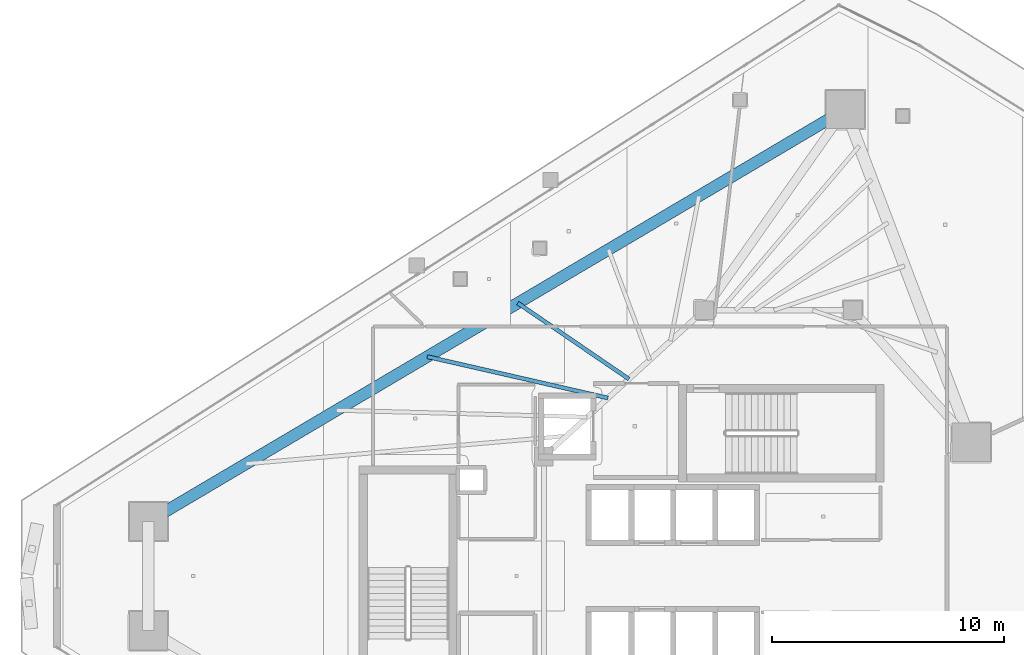
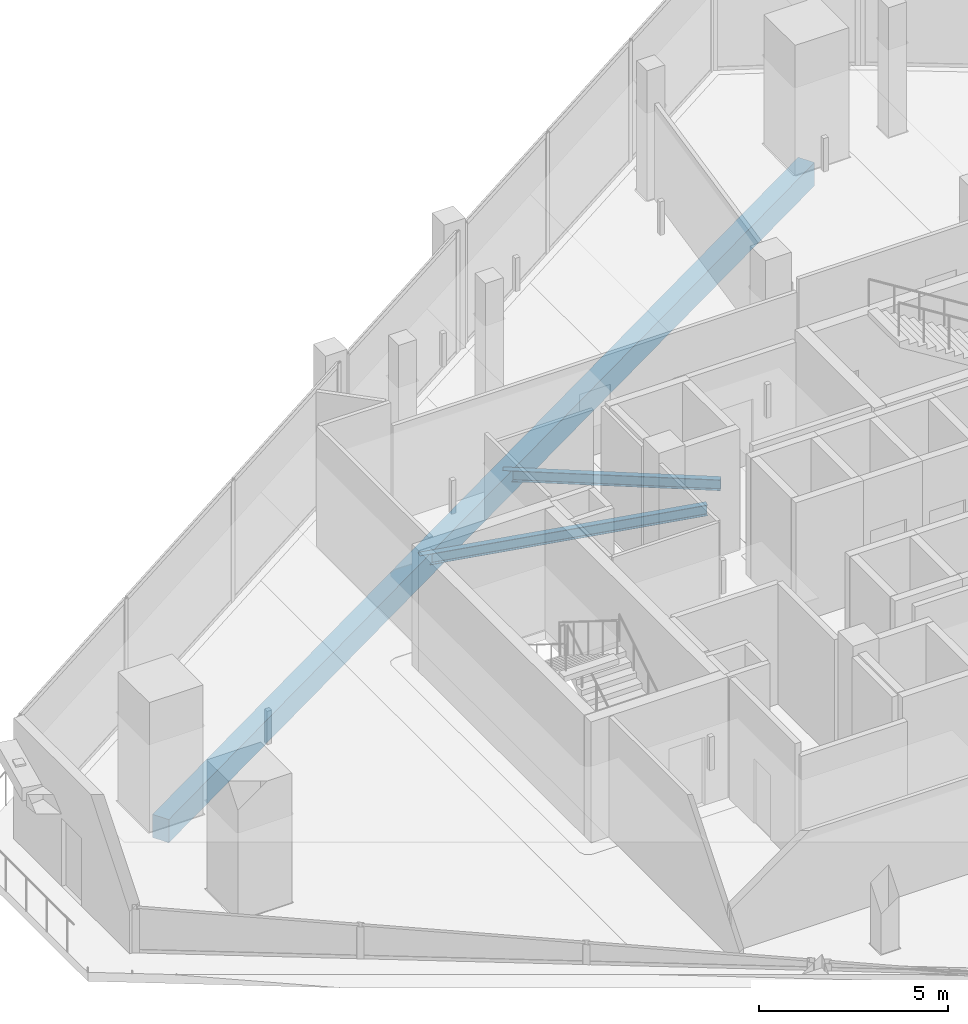
# One storey, part 12 of 31: 3 beams.
"""IFC4 building model written with IfcOpenShell, lengths in metres."""

from ifc_helpers import new_model, si_unit, direction, frame, origin, origin_2d, place, context, subcontext, project, spatial, rectangle, i_section, extrude, material, material_profile, profile_set, type_object, element, save


model = new_model("IFC4")

# Units and contexts
model_context = context("Model", 3, precision=1e-05, world=origin(), true_north=direction((0.0, 1.0)))
body_context = subcontext(model_context, "Body", "Model", "MODEL_VIEW")
ifc_project = project(units=[si_unit("LENGTHUNIT", "METRE"), si_unit("AREAUNIT", "SQUARE_METRE"), si_unit("VOLUMEUNIT", "CUBIC_METRE"), si_unit("PLANEANGLEUNIT", "RADIAN"), si_unit("MASSUNIT", "GRAM", prefix="KILO")], contexts=[model_context])

# Site, building, storey
site_placement = place(None, origin())
site = spatial("IfcSite", under=ifc_project, at=site_placement, CompositionType="ELEMENT")
building_placement = place(site_placement, origin())
building = spatial("IfcBuilding", under=site, at=building_placement, Name="Qorvath Tower", CompositionType="ELEMENT")
storey_placement = place(building_placement, frame((0.0, 0.0, 259.800048828125)))
storey = spatial("IfcBuildingStorey", under=building, at=storey_placement, Name="L60", CompositionType="ELEMENT", Elevation=259.800048828125)

# Beams
ifc_material_1 = material(Name="Steel ASTM A992 Grade 50", Category="steel")
ifc_material_profile_1 = material_profile(ifc_material_1, i_section(OverallWidth=0.1708984375, OverallDepth=0.35107421875, WebThickness=0.0068359375, FlangeThickness=0.009765625, FilletRadius=0.010009765625, at=origin_2d()), Name="W14x30")
ifc_profile_set_1 = profile_set([ifc_material_profile_1], Name="Steel ASTM A992 Grade 50")
beam_type_1 = type_object("IfcBeamType", Name="BM-FJ4", PredefinedType="JOIST", material=ifc_profile_set_1)
beam_1_placement = place(storey_placement, frame((-27.739990234375, 7.669921875, -0.465576171875), z_axis=(-0.974852627195, 0.222850522212, 0.0), x_axis=(-0.222850522212, -0.974852627195, 0.0)))
element("IfcBeam", 1, at=beam_1_placement, inside=storey, type_object=beam_type_1, Name="Composite Floor Joist NW3 L60", PredefinedType="JOIST", context=body_context, shape_type="SweptSolid", body=[
    extrude(i_section(OverallWidth=0.1708984375, OverallDepth=0.35107421875, WebThickness=0.0068359375, FlangeThickness=0.009765625, FilletRadius=0.010009765625, at=origin_2d()), origin(), (0.0, 0.0, 1.0), 7.98974609375),
])
beam_2_placement = place(storey_placement, frame((-26.843017578125, 8.489013671875, -0.465576171875), z_axis=(-0.82557592702, 0.564291049658, 0.0), x_axis=(-0.564291049658, -0.82557592702, 0.0)))
element("IfcBeam", 2, at=beam_2_placement, inside=storey, type_object=beam_type_1, Name="Composite Floor Joist NW4 L60", PredefinedType="JOIST", context=body_context, shape_type="SweptSolid", body=[
    extrude(i_section(OverallWidth=0.1708984375, OverallDepth=0.35107421875, WebThickness=0.0068359375, FlangeThickness=0.009765625, FilletRadius=0.010009765625, at=origin_2d()), origin(), (0.0, 0.0, 1.0), 5.793212890625),
])
ifc_material_2 = material(Name="Concrete C45/55", Category="concrete")
ifc_material_profile_2 = material_profile(ifc_material_2, rectangle(XDim=0.5, YDim=0.75, at=origin_2d()), Name="RCB 750x500")
ifc_profile_set_2 = profile_set([ifc_material_profile_2], Name="Concrete C45/55")
beam_type_2 = type_object("IfcBeamType", Name="BM-RCB3", PredefinedType="SPANDREL", material=ifc_profile_set_2)
beam_3_placement = place(storey_placement, frame((-17.515380859375, 20.1015625, -0.6650390625), z_axis=(-0.860781425392, -0.50897479083, 0.0), x_axis=(0.50897479083, -0.860781425392, 0.0)))
element("IfcBeam", 3, at=beam_3_placement, inside=storey, type_object=beam_type_2, Name="Perimeter Loggia Frame Beam MC6-MC1 L60", PredefinedType="SPANDREL", context=body_context, shape_type="SweptSolid", body=[
    extrude(rectangle(XDim=0.5, YDim=0.75, at=origin_2d()), origin(), (0.0, 0.0, 1.0), 34.8779296875),
])

save(model, "model.ifc")
